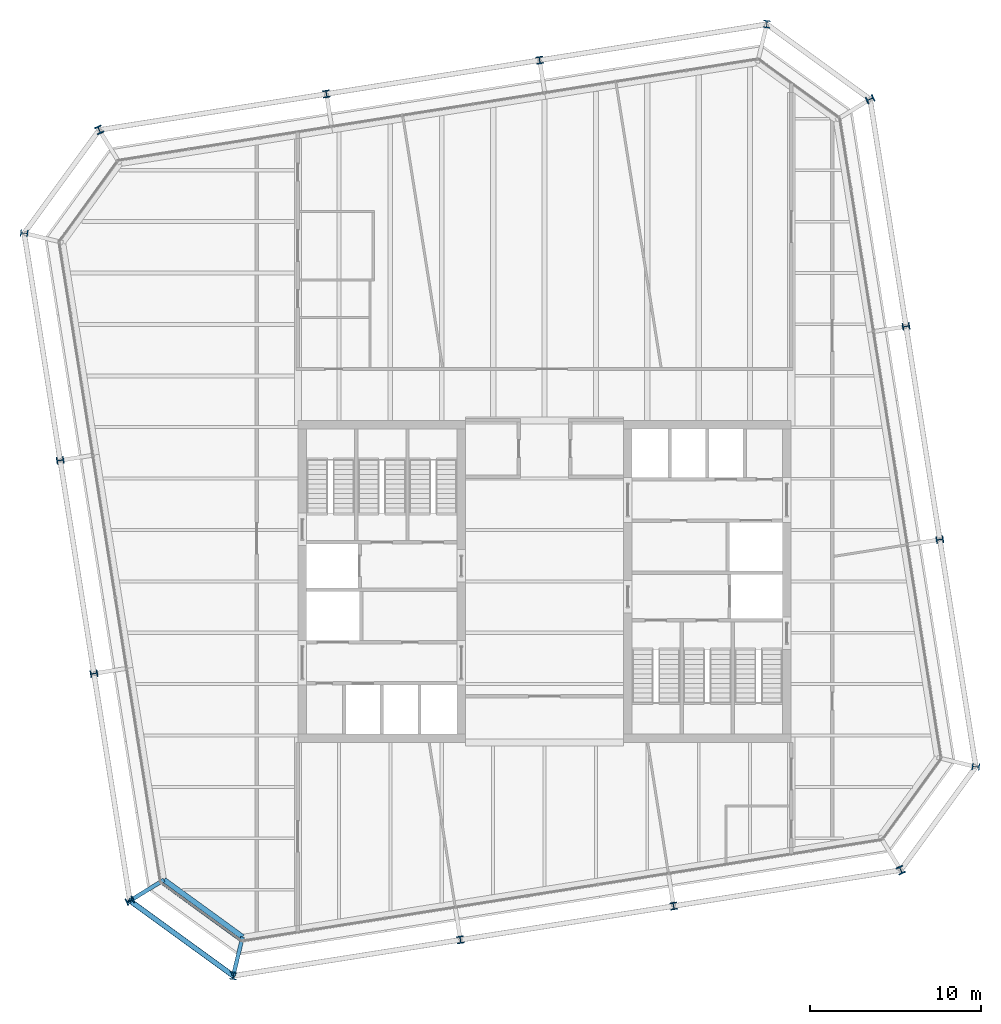
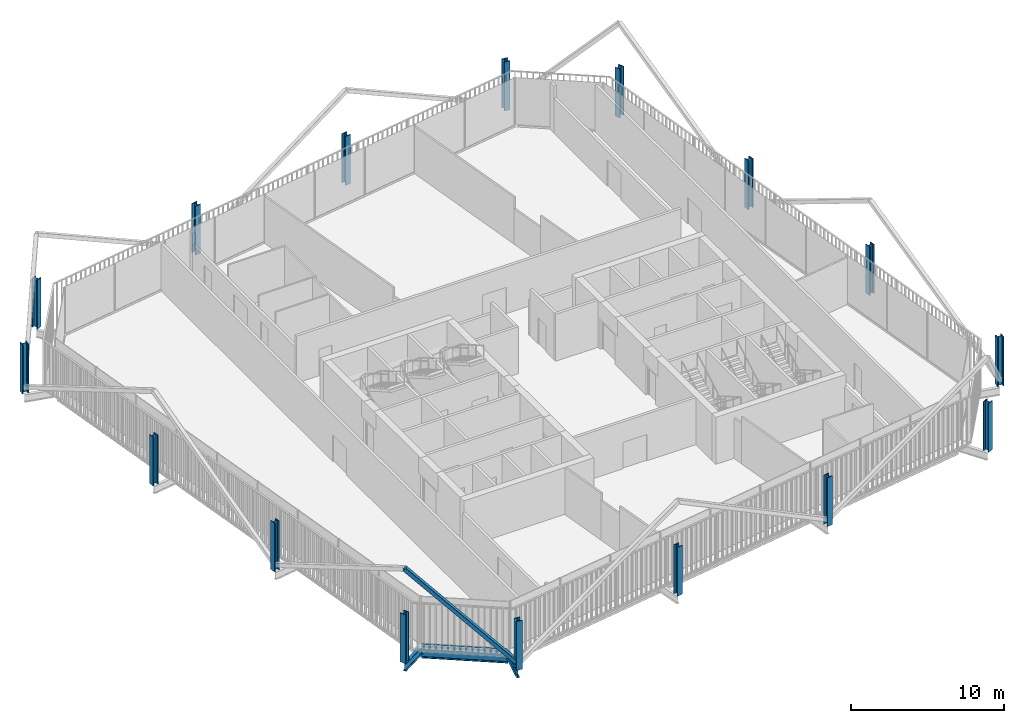
# One storey, part 1 of 21: 16 columns, 3 beams, 2 members, 1 element without a shape of its own.
"""IFC4 building model written with IfcOpenShell, lengths in metres."""

from ifc_helpers import new_model, si_unit, direction, frame, origin, origin_2d, place, context, subcontext, project, spatial, rectangle, hollow_rectangle, i_section, extrude, material, layer, layer_set, material_profile, profile_set, type_object, element, aggregate, save


model = new_model("IFC4")

# Units and contexts
model_context = context("Model", 3, precision=1e-05, world=origin(), true_north=direction((0.0, 1.0)))
body_context = subcontext(model_context, "Body", "Model", "MODEL_VIEW")
ifc_project = project(units=[si_unit("LENGTHUNIT", "METRE"), si_unit("AREAUNIT", "SQUARE_METRE"), si_unit("VOLUMEUNIT", "CUBIC_METRE"), si_unit("PLANEANGLEUNIT", "RADIAN"), si_unit("MASSUNIT", "GRAM", prefix="KILO")], contexts=[model_context])

# Site, building, storey
site_placement = place(None, origin())
site = spatial("IfcSite", under=ifc_project, at=site_placement, CompositionType="ELEMENT")
building_placement = place(site_placement, origin())
building = spatial("IfcBuilding", under=site, at=building_placement, Name="Millrace Tower", CompositionType="ELEMENT")
storey_placement = place(building_placement, frame((0.0, 0.0, 228.10009765625)))
storey = spatial("IfcBuildingStorey", under=building, at=storey_placement, Name="L52", CompositionType="ELEMENT", Elevation=228.10009765625)

# Columns
ifc_material_1 = material(Name="Steel ASTM A913 Grade 65", Category="steel")
ifc_material_profile_1 = material_profile(ifc_material_1, i_section(OverallWidth=0.408935546875, OverallDepth=0.424072265625, WebThickness=0.03271484375, FlangeThickness=0.052490234375, FilletRadius=0.01513671875, at=origin_2d()))
ifc_profile_set_1 = profile_set([ifc_material_profile_1], Name="Steel ASTM A913 Grade 65")
column_type_1 = type_object("IfcColumnType", Name="Exoskeleton column W14x283", PredefinedType="COLUMN", material=ifc_profile_set_1)
for number, where, z_axis, x_axis, name in (
    (1, (-4.91162109375, -20.927734375, 0.0), (0.0, 0.0, 1.0), (0.987688341035, 0.156434462265, 0.0), "COL-D-L52-X03"),
    (2, (7.533203125, -18.956787109375, 0.0), (0.0, 0.0, 1.0), (0.987688341035, 0.156434462265, 0.0), "COL-D-L52-X04"),
    (3, (23.07763671875, 2.4384765625, 0.0), (0.0, 0.0, 1.0), (-0.156434462265, 0.987688341035, 0.0), "COL-D-L52-X07"),
    (4, (21.106689453125, 14.88330078125, 0.0), (0.0, 0.0, 1.0), (-0.156434462265, 0.987688341035, 0.0), "COL-D-L52-X08"),
    (5, (-0.288330078125, 30.427734375, 0.0), (0.0, 0.0, 1.0), (-0.987688341035, -0.156434462265, 0.0), "COL-D-L52-X11"),
    (6, (-12.7333984375, 28.456787109375, 0.0), (0.0, 0.0, 1.0), (-0.987688341035, -0.156434462265, 0.0), "COL-D-L52-X12"),
    (7, (-28.27783203125, 7.0615234375, 0.0), (0.0, 0.0, 1.0), (0.156434462265, -0.987688341035, 0.0), "COL-D-L52-X15"),
    (8, (-26.306640625, -5.38330078125, 0.0), (0.0, 0.0, 1.0), (0.156434462265, -0.987688341035, 0.0), "COL-D-L52-X16"),
):
    element("IfcColumn", number, at=place(storey_placement, frame(where, z_axis=z_axis, x_axis=x_axis)), inside=storey, type_object=column_type_1, Name=name, PredefinedType="COLUMN", context=body_context, shape_type="SweptSolid", body=[
        extrude(i_section(OverallWidth=0.408935546875, OverallDepth=0.424072265625, WebThickness=0.03271484375, FlangeThickness=0.052490234375, FilletRadius=0.01513671875, at=origin_2d()), origin(), (0.0, 0.0, 1.0), 3.89990234375),
    ])
ifc_material_2 = material(Name="Steel ASTM A913 Grade 65", Category="steel")
ifc_material_profile_2 = material_profile(ifc_material_2, i_section(OverallWidth=0.41650390625, OverallDepth=0.444580078125, WebThickness=0.0390625, FlangeThickness=0.062744140625, FilletRadius=0.01513671875, at=origin_2d()))
ifc_profile_set_2 = profile_set([ifc_material_profile_2], Name="Steel ASTM A913 Grade 65")
column_type_2 = type_object("IfcColumnType", Name="Exoskeleton column W14x342", PredefinedType="COLUMN", material=ifc_profile_set_2)
for number, where, z_axis, x_axis, name in (
    (9, (-24.2060546875, -18.646484375, 0.0), (0.0, 0.0, 1.0), (0.418552981224, -0.908192381552, 0.0), "COL-D-L52-X01"),
    (10, (-18.174560546875, -23.0283203125, 0.0), (0.0, 0.0, 1.0), (0.993082267365, -0.117420655103, 0.0), "COL-D-L52-X02"),
    (11, (20.79638671875, -16.85595703125, 0.0), (0.0, 0.0, 1.0), (0.908192381552, 0.418552981224, 0.0), "COL-D-L52-X05"),
    (12, (25.178466796875, -10.82470703125, 0.0), (0.0, 0.0, 1.0), (0.117420655103, 0.993082267365, 0.0), "COL-D-L52-X06"),
    (13, (19.006103515625, 28.146484375, 0.0), (0.0, 0.0, 1.0), (-0.418552981224, 0.908192381552, 0.0), "COL-D-L52-X09"),
    (14, (12.974609375, 32.5283203125, 0.0), (0.0, 0.0, 1.0), (-0.993082267365, 0.117420655103, 0.0), "COL-D-L52-X10"),
    (15, (-25.996337890625, 26.35595703125, 0.0), (0.0, 0.0, 1.0), (-0.908192381552, -0.418552981224, 0.0), "COL-D-L52-X13"),
    (16, (-30.37841796875, 20.32470703125, 0.0), (0.0, 0.0, 1.0), (-0.117420655103, -0.993082267365, 0.0), "COL-D-L52-X14"),
):
    element("IfcColumn", number, at=place(storey_placement, frame(where, z_axis=z_axis, x_axis=x_axis)), inside=storey, type_object=column_type_2, Name=name, PredefinedType="COLUMN", context=body_context, shape_type="SweptSolid", body=[
        extrude(i_section(OverallWidth=0.41650390625, OverallDepth=0.444580078125, WebThickness=0.0390625, FlangeThickness=0.062744140625, FilletRadius=0.01513671875, at=origin_2d()), origin(), (0.0, 0.0, 1.0), 3.89990234375),
    ])

# Curtain wall, member
ifc_material_3 = material(Name="Aluminium and glass", Category="aluminium")
ifc_layer = layer(ifc_material_3, 0.14990234375)
ifc_layer_set = layer_set([ifc_layer], Name="Aluminium and glass")
curtain_wall_type = type_object("IfcCurtainWallType", Name="CW-1 office vision curtain wall", PredefinedType="NOTDEFINED", material=ifc_layer_set)
curtain_wall_placement = place(storey_placement, origin())
curtain_wall = element("IfcCurtainWall", 17, at=curtain_wall_placement, inside=storey, type_object=curtain_wall_type, Name="Curtain wall D-F01 L52", PredefinedType="NOTDEFINED")
ifc_material_4 = material(Name="Aluminium", Category="aluminium")
ifc_material_profile_3 = material_profile(ifc_material_4, rectangle(XDim=0.14990234375, YDim=0.139892578125, at=origin_2d()))
ifc_profile_set_3 = profile_set([ifc_material_profile_3], Name="Aluminium")
member_type_1 = type_object("IfcMemberType", Name="CW-1 office vision curtain wall transom", PredefinedType="USERDEFINED", material=ifc_profile_set_3)
member_1_placement = place(storey_placement, frame((-22.323486328125, -17.634765625, 0.06982421875), z_axis=(0.809033935994, -0.587761933448, 0.0), x_axis=(0.587761933448, 0.809033935994, 0.0)))
member_1 = element("IfcMember", 18, at=member_1_placement, type_object=member_type_1, Name="CW1 transom D-F01.1", ObjectType="TRANSOM", PredefinedType="USERDEFINED", context=body_context, shape_type="SweptSolid", body=[
    extrude(rectangle(XDim=0.14990234375, YDim=0.139892578125, at=origin_2d()), origin(), (0.0, 0.0, 1.0), 5.598388671875),
])
aggregate(curtain_wall, [member_1])

# Member
ifc_material_5 = material(Name="Steel ASTM A500 Grade C", Category="steel")
ifc_material_profile_4 = material_profile(ifc_material_5, hollow_rectangle(XDim=0.3046875, YDim=0.3046875, WallThickness=0.0126953125, InnerFilletRadius=0.00634765625, OuterFilletRadius=0.01904296875, at=origin_2d()))
ifc_profile_set_4 = profile_set([ifc_material_profile_4], Name="Steel ASTM A500 Grade C")
member_type_2 = type_object("IfcMemberType", Name="Exoskeleton brace HSS12x12x1/2", PredefinedType="BRACE", material=ifc_profile_set_4)
member_2_placement = place(storey_placement, frame((-18.174560546875, -23.0283203125, 0.39990234375), z_axis=(-0.589795997835, 0.428482435505, 0.684502361867), x_axis=(-0.587758820843, -0.809036197288, 0.0)))
element("IfcMember", 19, at=member_2_placement, inside=storey, type_object=member_type_2, Name="BRC-D-L52-01", PredefinedType="BRACE", context=body_context, shape_type="SweptSolid", body=[
    extrude(hollow_rectangle(XDim=0.3046875, YDim=0.3046875, WallThickness=0.0126953125, InnerFilletRadius=0.00634765625, OuterFilletRadius=0.01904296875, at=origin_2d()), origin(), (0.0, 0.0, 1.0), 10.226318359375),
])

# Beams
ifc_material_6 = material(Name="Steel ASTM A992 Grade 50", Category="steel")
ifc_material_profile_5 = material_profile(ifc_material_6, i_section(OverallWidth=0.23046875, OverallDepth=0.6171875, WebThickness=0.01318359375, FlangeThickness=0.022216796875, FilletRadius=0.012939453125, at=origin_2d()))
ifc_profile_set_5 = profile_set([ifc_material_profile_5], Name="Steel ASTM A992 Grade 50")
beam_type_1 = type_object("IfcBeamType", Name="Link beam W24x94", PredefinedType="BEAM", material=ifc_profile_set_5)
for number, where, z_axis, x_axis, name in (
    (20, (-22.218505859375, -17.428466796875, -0.46875), (-0.852631355792, -0.522512938711, 0.0), (0.522512938711, -0.852631355792, 0.0), "LNK-D-L52-S1-01"),
    (21, (-17.63037109375, -20.76171875, -0.46875), (-0.233456138164, -0.972367333652, 0.0), (0.972367333652, -0.233456138164, 0.0), "LNK-D-L52-S1-16"),
):
    element("IfcBeam", number, at=place(storey_placement, frame(where, z_axis=z_axis, x_axis=x_axis)), inside=storey, type_object=beam_type_1, Name=name, PredefinedType="BEAM", context=body_context, shape_type="SweptSolid", body=[
        extrude(i_section(OverallWidth=0.23046875, OverallDepth=0.6171875, WebThickness=0.01318359375, FlangeThickness=0.022216796875, FilletRadius=0.012939453125, at=origin_2d()), origin(), (0.0, 0.0, 1.0), 2.3310546875),
    ])
ifc_material_7 = material(Name="Steel ASTM A992 Grade 50", Category="steel")
ifc_material_profile_6 = material_profile(ifc_material_7, i_section(OverallWidth=0.307373046875, OverallDepth=0.927001953125, WebThickness=0.01953125, FlangeThickness=0.031982421875, FilletRadius=0.01904296875, at=origin_2d()))
ifc_profile_set_6 = profile_set([ifc_material_profile_6], Name="Steel ASTM A992 Grade 50")
beam_type_2 = type_object("IfcBeamType", Name="Ring beam short span W36x194", PredefinedType="SPANDREL", material=ifc_profile_set_6)
beam_placement = place(storey_placement, frame((-17.63037109375, -20.76171875, -0.62353515625), z_axis=(-0.809035699289, 0.587759506326, 0.0), x_axis=(-0.587759506326, -0.809035699289, 0.0)))
element("IfcBeam", 22, at=beam_placement, inside=storey, type_object=beam_type_2, Name="RNG-D-L52-S1-16", PredefinedType="SPANDREL", context=body_context, shape_type="SweptSolid", body=[
    extrude(i_section(OverallWidth=0.307373046875, OverallDepth=0.927001953125, WebThickness=0.01953125, FlangeThickness=0.031982421875, FilletRadius=0.01904296875, at=origin_2d()), origin(), (0.0, 0.0, 1.0), 5.671142578125),
])

save(model, "model.ifc")
